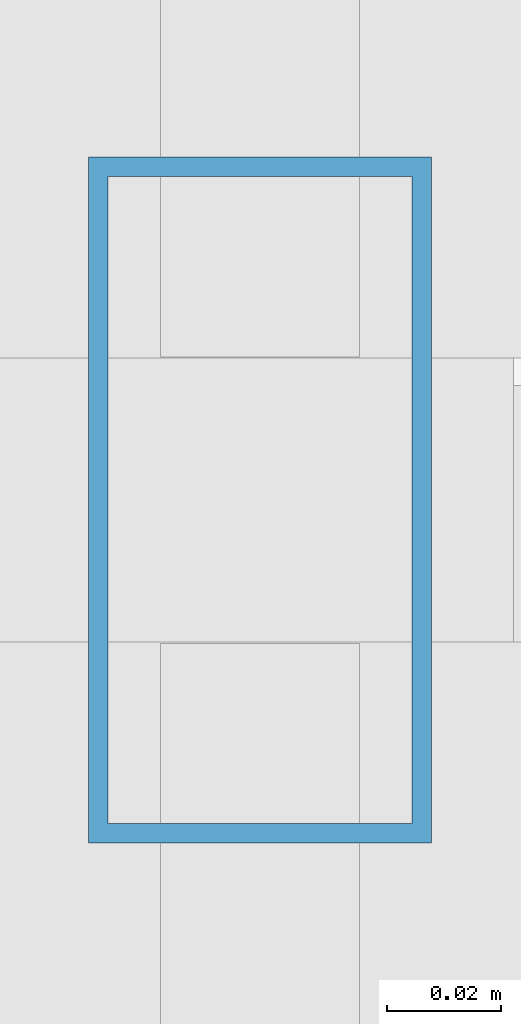
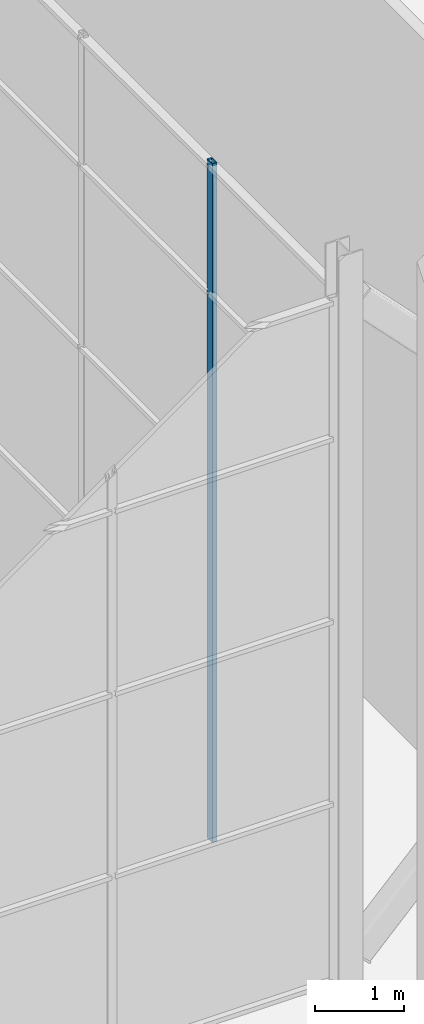
# One storey, part 52 of 111: 1 member, 1 element without a shape of its own.
"""IFC4 building model written with IfcOpenShell, lengths in metres."""

from ifc_helpers import new_model, si_unit, direction, frame, origin, origin_2d, place, context, subcontext, project, spatial, hollow_rectangle, extrude, material, layer, layer_set, material_profile, profile_set, type_object, element, aggregate, save


model = new_model("IFC4")

# Units and contexts
model_context = context("Model", 3, precision=1e-05, world=origin(), true_north=direction((0.0, 1.0)))
body_context = subcontext(model_context, "Body", "Model", "MODEL_VIEW")
ifc_project = project(units=[si_unit("LENGTHUNIT", "METRE"), si_unit("AREAUNIT", "SQUARE_METRE"), si_unit("VOLUMEUNIT", "CUBIC_METRE"), si_unit("PLANEANGLEUNIT", "RADIAN"), si_unit("MASSUNIT", "GRAM", prefix="KILO")], contexts=[model_context])

# Site, building, storey
site_placement = place(None, origin())
site = spatial("IfcSite", under=ifc_project, at=site_placement, CompositionType="ELEMENT")
building_placement = place(site_placement, origin())
building = spatial("IfcBuilding", under=site, at=building_placement, Name="Shorebreak Coast Museum", CompositionType="ELEMENT")
storey_placement = place(building_placement, frame((0.0, 0.0, 16.0)))
storey = spatial("IfcBuildingStorey", under=building, at=storey_placement, Name="L03", CompositionType="ELEMENT", Elevation=16.0)

# Curtain wall, member
ifc_material_1 = material(Name="Aluminium", Category="aluminium")
ifc_layer = layer(ifc_material_1, 0.1201171875)
ifc_layer_set = layer_set([ifc_layer], Name="Aluminium")
curtain_wall_type = type_object("IfcCurtainWallType", Name="Atrium fire screen", PredefinedType="NOTDEFINED", material=ifc_layer_set)
curtain_wall_placement = place(storey_placement, origin())
curtain_wall = element("IfcCurtainWall", 1, at=curtain_wall_placement, inside=storey, type_object=curtain_wall_type, Name="Atrium screen L03 E 47", PredefinedType="NOTDEFINED")
ifc_material_2 = material(Name="Aluminium", Category="aluminium")
ifc_material_profile = material_profile(ifc_material_2, hollow_rectangle(XDim=0.06005859375, YDim=0.1201171875, WallThickness=0.00341796875, at=origin_2d()), Name="AL 120x60 RHS")
ifc_profile_set = profile_set([ifc_material_profile], Name="Aluminium")
member_type = type_object("IfcMemberType", Name="Screen mullion 50 x 120", PredefinedType="MULLION", material=ifc_profile_set)
member_placement = place(storey_placement, frame((108.06005859375, 66.0654296875, 0.0), z_axis=(0.0, 0.0, 1.0), x_axis=(-1.0, 0.0, 0.0)))
member = element("IfcMember", 2, at=member_placement, type_object=member_type, Name="CW6 mullion 2", PredefinedType="MULLION", context=body_context, shape_type="SweptSolid", body=[
    extrude(hollow_rectangle(XDim=0.06005859375, YDim=0.1201171875, WallThickness=0.00341796875, at=origin_2d()), origin(), (0.0, 0.0, 1.0), 9.296875),
])
aggregate(curtain_wall, [member])

save(model, "model.ifc")
